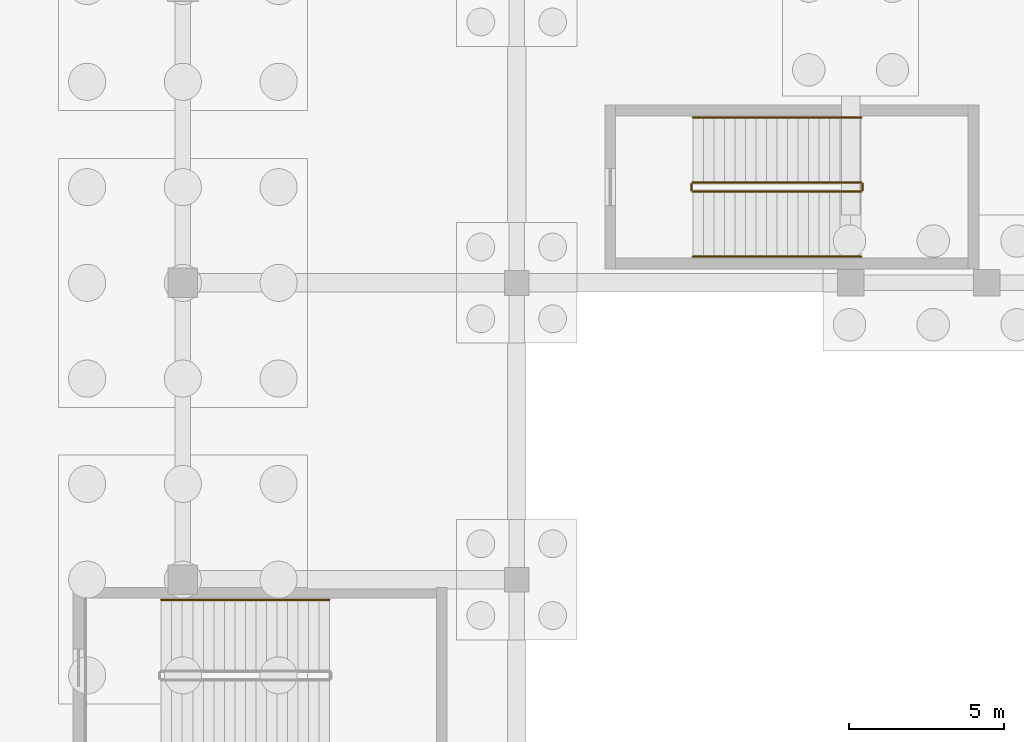
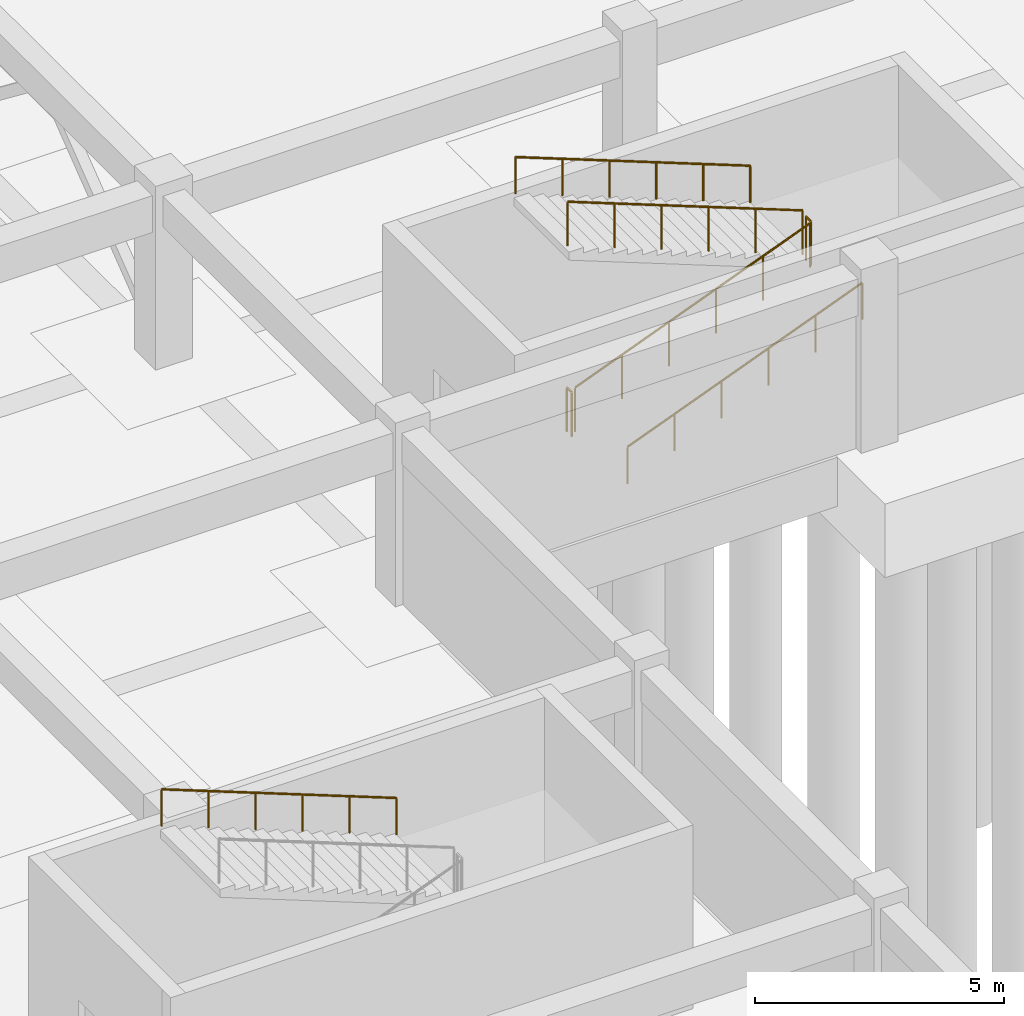
# One storey, part 29 of 33: 7 railings.
"""IFC4 building model written with IfcOpenShell, lengths in metres."""

from ifc_helpers import new_model, si_unit, direction, frame, origin, origin_2d, place, context, subcontext, project, spatial, circle, extrude, material, type_object, element, save


model = new_model("IFC4")

# Units and contexts
model_context = context("Model", 3, precision=1e-05, world=origin(), true_north=direction((0.0, 1.0)))
body_context = subcontext(model_context, "Body", "Model", "MODEL_VIEW")
ifc_project = project(units=[si_unit("LENGTHUNIT", "METRE"), si_unit("AREAUNIT", "SQUARE_METRE"), si_unit("VOLUMEUNIT", "CUBIC_METRE"), si_unit("PLANEANGLEUNIT", "RADIAN"), si_unit("MASSUNIT", "GRAM", prefix="KILO")], contexts=[model_context])

# Site, building, storey
site_placement = place(None, origin())
site = spatial("IfcSite", under=ifc_project, at=site_placement, CompositionType="ELEMENT")
building_placement = place(site_placement, origin())
building = spatial("IfcBuilding", under=site, at=building_placement, Name="Veldera Park Congress Hotel", CompositionType="ELEMENT")
storey_placement = place(building_placement, frame((0.0, 0.0, -4.5)))
storey = spatial("IfcBuildingStorey", under=building, at=storey_placement, Name="B1", CompositionType="ELEMENT", Elevation=-4.5)

# Railings
ifc_material = material(Name="Steel ASTM A992 Gr.50", Category="steel")
railing_type_1 = type_object("IfcRailingType", Name="GRD-ST110", PredefinedType="GUARDRAIL", material=ifc_material)
railing_1_placement = place(storey_placement, frame((4.10009765625, 20.35009765625, 0.13232421875)))
element("IfcRailing", 1, at=railing_1_placement, inside=storey, type_object=railing_type_1, Name="B1 ST6 stair guard 1", PredefinedType="GUARDRAIL", context=body_context, shape_type="SweptSolid", body=[
    extrude(circle(Radius=0.02392578125, at=origin_2d()), frame((0.0, 0.0, 1.076171875), z_axis=(0.93188060822, 0.0, 0.362765119635), x_axis=(0.0, 1.0, 0.0)), (0.0, 0.0, 1.0), 5.837646484375),
    extrude(circle(Radius=0.02099609375, at=origin_2d()), origin(), (0.0, 0.0, 1.0), 1.052001953125),
    extrude(circle(Radius=0.02099609375, at=origin_2d()), frame((1.087890625, 0.0, 0.423583984375)), (0.0, 0.0, 1.0), 1.052001953125),
    extrude(circle(Radius=0.02099609375, at=origin_2d()), frame((2.176025390625, 0.0, 0.84716796875)), (0.0, 0.0, 1.0), 1.052001953125),
    extrude(circle(Radius=0.02099609375, at=origin_2d()), frame((3.263916015625, 0.0, 1.2705078125)), (0.0, 0.0, 1.0), 1.052001953125),
    extrude(circle(Radius=0.02099609375, at=origin_2d()), frame((4.35205078125, 0.0, 1.694091796875)), (0.0, 0.0, 1.0), 1.052001953125),
    extrude(circle(Radius=0.02099609375, at=origin_2d()), frame((5.43994140625, 0.0, 2.11767578125)), (0.0, 0.0, 1.0), 1.052001953125),
])
railing_2_placement = place(storey_placement, frame((9.590087890625, 20.39990234375, 2.25)))
element("IfcRailing", 2, at=railing_2_placement, inside=storey, type_object=railing_type_1, Name="B1 ST6 stair guard 2", PredefinedType="GUARDRAIL", context=body_context, shape_type="SweptSolid", body=[
    extrude(circle(Radius=0.02392578125, at=origin_2d()), frame((0.0, 0.0, 1.076171875), z_axis=(0.0, 1.0, 0.0), x_axis=(-1.0, 0.0, 0.0)), (0.0, 0.0, 1.0), 0.2001953125),
    extrude(circle(Radius=0.02099609375, at=origin_2d()), origin(), (0.0, 0.0, 1.0), 1.052001953125),
    extrude(circle(Radius=0.02099609375, at=origin_2d()), frame((0.0, 0.2001953125, 0.0)), (0.0, 0.0, 1.0), 1.052001953125),
])
railing_3_placement = place(storey_placement, frame((9.5400390625, 20.64990234375, 2.38232421875)))
element("IfcRailing", 3, at=railing_3_placement, inside=storey, type_object=railing_type_1, Name="B1 ST6 stair guard 3", PredefinedType="GUARDRAIL", context=body_context, shape_type="SweptSolid", body=[
    extrude(circle(Radius=0.02392578125, at=origin_2d()), frame((0.0, 0.0, 1.076171875), z_axis=(-0.93188060822, 0.0, 0.362765119635), x_axis=(0.0, -1.0, 0.0)), (0.0, 0.0, 1.0), 5.837646484375),
    extrude(circle(Radius=0.02099609375, at=origin_2d()), origin(), (0.0, 0.0, 1.0), 1.052001953125),
    extrude(circle(Radius=0.02099609375, at=origin_2d()), frame((-1.087890625, 0.0, 0.423583984375)), (0.0, 0.0, 1.0), 1.052001953125),
    extrude(circle(Radius=0.02099609375, at=origin_2d()), frame((-2.176025390625, 0.0, 0.84716796875)), (0.0, 0.0, 1.0), 1.052001953125),
    extrude(circle(Radius=0.02099609375, at=origin_2d()), frame((-3.263916015625, 0.0, 1.2705078125)), (0.0, 0.0, 1.0), 1.052001953125),
    extrude(circle(Radius=0.02099609375, at=origin_2d()), frame((-4.35205078125, 0.0, 1.694091796875)), (0.0, 0.0, 1.0), 1.052001953125),
    extrude(circle(Radius=0.02099609375, at=origin_2d()), frame((-5.43994140625, 0.0, 2.11767578125)), (0.0, 0.0, 1.0), 1.052001953125),
])
railing_4_placement = place(storey_placement, frame((4.050048828125, 20.39990234375, 0.0)))
element("IfcRailing", 4, at=railing_4_placement, inside=storey, type_object=railing_type_1, Name="B1 ST6 stair guard 4", PredefinedType="GUARDRAIL", context=body_context, shape_type="SweptSolid", body=[
    extrude(circle(Radius=0.02392578125, at=origin_2d()), frame((0.0, 0.0, 1.076171875), z_axis=(0.0, 1.0, 0.0), x_axis=(-1.0, 0.0, 0.0)), (0.0, 0.0, 1.0), 0.2001953125),
    extrude(circle(Radius=0.02099609375, at=origin_2d()), origin(), (0.0, 0.0, 1.0), 1.052001953125),
    extrude(circle(Radius=0.02099609375, at=origin_2d()), frame((0.0, 0.2001953125, 0.0)), (0.0, 0.0, 1.0), 1.052001953125),
])
railing_type_2 = type_object("IfcRailingType", Name="HRL-920", PredefinedType="HANDRAIL", material=ifc_material)
railing_5_placement = place(storey_placement, frame((4.10009765625, 18.25, 0.13232421875)))
element("IfcRailing", 5, at=railing_5_placement, inside=storey, type_object=railing_type_2, Name="B1 ST6 stair handrail 1", PredefinedType="HANDRAIL", context=body_context, shape_type="SweptSolid", body=[
    extrude(circle(Radius=0.02392578125, at=origin_2d()), frame((0.0, 0.0, 0.89599609375), z_axis=(0.93188060822, 0.0, 0.362765119635), x_axis=(0.0, 1.0, 0.0)), (0.0, 0.0, 1.0), 5.837646484375),
    extrude(circle(Radius=0.02099609375, at=origin_2d()), origin(), (0.0, 0.0, 1.0), 0.871826171875),
    extrude(circle(Radius=0.02099609375, at=origin_2d()), frame((1.087890625, 0.0, 0.423583984375)), (0.0, 0.0, 1.0), 0.871826171875),
    extrude(circle(Radius=0.02099609375, at=origin_2d()), frame((2.176025390625, 0.0, 0.84716796875)), (0.0, 0.0, 1.0), 0.871826171875),
    extrude(circle(Radius=0.02099609375, at=origin_2d()), frame((3.263916015625, 0.0, 1.2705078125)), (0.0, 0.0, 1.0), 0.871826171875),
    extrude(circle(Radius=0.02099609375, at=origin_2d()), frame((4.35205078125, 0.0, 1.694091796875)), (0.0, 0.0, 1.0), 0.871826171875),
    extrude(circle(Radius=0.02099609375, at=origin_2d()), frame((5.43994140625, 0.0, 2.11767578125)), (0.0, 0.0, 1.0), 0.871826171875),
])
railing_6_placement = place(storey_placement, frame((9.5400390625, 22.75, 2.38232421875)))
element("IfcRailing", 6, at=railing_6_placement, inside=storey, type_object=railing_type_2, Name="B1 ST6 stair handrail 2", PredefinedType="HANDRAIL", context=body_context, shape_type="SweptSolid", body=[
    extrude(circle(Radius=0.02392578125, at=origin_2d()), frame((0.0, 0.0, 0.89599609375), z_axis=(-0.93188060822, 0.0, 0.362765119635), x_axis=(0.0, -1.0, 0.0)), (0.0, 0.0, 1.0), 5.837646484375),
    extrude(circle(Radius=0.02099609375, at=origin_2d()), origin(), (0.0, 0.0, 1.0), 0.871826171875),
    extrude(circle(Radius=0.02099609375, at=origin_2d()), frame((-1.087890625, 0.0, 0.423583984375)), (0.0, 0.0, 1.0), 0.871826171875),
    extrude(circle(Radius=0.02099609375, at=origin_2d()), frame((-2.176025390625, 0.0, 0.84716796875)), (0.0, 0.0, 1.0), 0.871826171875),
    extrude(circle(Radius=0.02099609375, at=origin_2d()), frame((-3.263916015625, 0.0, 1.2705078125)), (0.0, 0.0, 1.0), 0.871826171875),
    extrude(circle(Radius=0.02099609375, at=origin_2d()), frame((-4.35205078125, 0.0, 1.694091796875)), (0.0, 0.0, 1.0), 0.871826171875),
    extrude(circle(Radius=0.02099609375, at=origin_2d()), frame((-5.43994140625, 0.0, 2.11767578125)), (0.0, 0.0, 1.0), 0.871826171875),
])
railing_7_placement = place(storey_placement, frame((-7.659912109375, 7.14990234375, 2.38232421875)))
element("IfcRailing", 7, at=railing_7_placement, inside=storey, type_object=railing_type_2, Name="B1 ST9 stair handrail 2", PredefinedType="HANDRAIL", context=body_context, shape_type="SweptSolid", body=[
    extrude(circle(Radius=0.02392578125, at=origin_2d()), frame((0.0, 0.0, 0.89599609375), z_axis=(-0.931886111629, 0.0, 0.362750982016), x_axis=(0.0, -1.0, 0.0)), (0.0, 0.0, 1.0), 5.837890625),
    extrude(circle(Radius=0.02099609375, at=origin_2d()), origin(), (0.0, 0.0, 1.0), 0.871826171875),
    extrude(circle(Radius=0.02099609375, at=origin_2d()), frame((-1.088134765625, 0.0, 0.423583984375)), (0.0, 0.0, 1.0), 0.871826171875),
    extrude(circle(Radius=0.02099609375, at=origin_2d()), frame((-2.176025390625, 0.0, 0.84716796875)), (0.0, 0.0, 1.0), 0.871826171875),
    extrude(circle(Radius=0.02099609375, at=origin_2d()), frame((-3.26416015625, 0.0, 1.2705078125)), (0.0, 0.0, 1.0), 0.871826171875),
    extrude(circle(Radius=0.02099609375, at=origin_2d()), frame((-4.35205078125, 0.0, 1.694091796875)), (0.0, 0.0, 1.0), 0.871826171875),
    extrude(circle(Radius=0.02099609375, at=origin_2d()), frame((-5.440185546875, 0.0, 2.11767578125)), (0.0, 0.0, 1.0), 0.871826171875),
])

save(model, "model.ifc")
